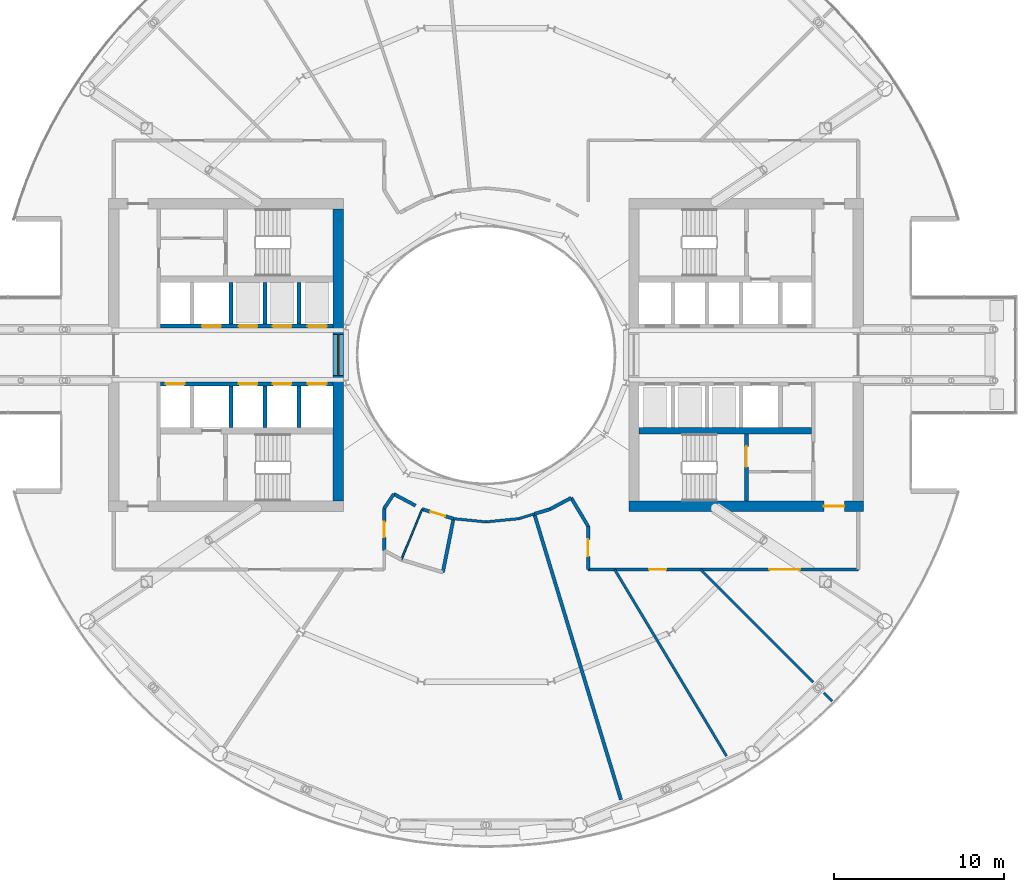
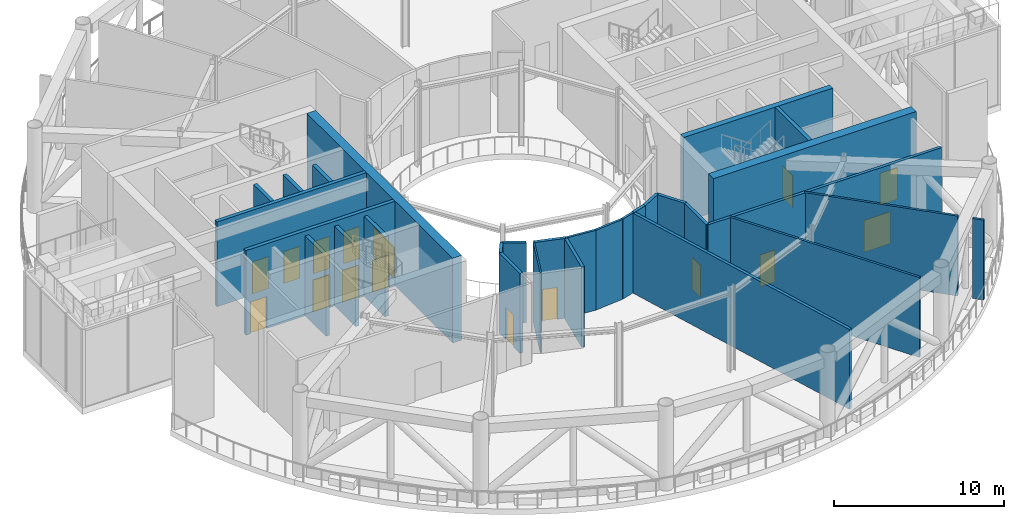
# One storey, part 13 of 25: 30 walls, 15 doors, 1 window, 16 openings.
"""IFC4 building model written with IfcOpenShell, lengths in metres."""

from ifc_helpers import new_model, si_unit, direction, frame, frame_2d, origin, place, context, subcontext, project, spatial, rectangle, extrude, material, layer, layer_set, type_object, element, fill, save


model = new_model("IFC4")

# Units and contexts
model_context = context("Model", 3, precision=1e-05, world=origin(), true_north=direction((0.0, 1.0)))
body_context = subcontext(model_context, "Body", "Model", "MODEL_VIEW")
ifc_project = project(units=[si_unit("LENGTHUNIT", "METRE"), si_unit("AREAUNIT", "SQUARE_METRE"), si_unit("VOLUMEUNIT", "CUBIC_METRE"), si_unit("PLANEANGLEUNIT", "RADIAN"), si_unit("MASSUNIT", "GRAM", prefix="KILO")], contexts=[model_context])

# Site, building, storey
site_placement = place(None, origin())
site = spatial("IfcSite", under=ifc_project, at=site_placement, CompositionType="ELEMENT")
building_placement = place(site_placement, origin())
building = spatial("IfcBuilding", under=site, at=building_placement, Name="Maasbend Ring Residences", CompositionType="ELEMENT")
storey_placement = place(building_placement, frame((0.0, 0.0, 139.10009765625)))
storey = spatial("IfcBuildingStorey", under=building, at=storey_placement, Name="L40", CompositionType="ELEMENT", Elevation=139.10009765625)

# Wall, opening, door
ifc_material_1 = material(Name="Concrete C60/75", Category="concrete")
ifc_layer_1 = layer(ifc_material_1, 0.25)
ifc_layer_set_1 = layer_set([ifc_layer_1], Name="Concrete C60/75")
wall_type_1 = type_object("IfcWallType", Name="CORE WALL 250 C60/75", PredefinedType="SHEAR", material=ifc_layer_set_1)
wall_1_placement = place(storey_placement, frame((15.324951171875, -8.60009765625, 0.0), z_axis=(0.0, 0.0, 1.0), x_axis=(0.0, 1.0, 0.0)))
wall_1 = element("IfcWall", 1, at=wall_1_placement, inside=storey, type_object=wall_type_1, Name="L40 core E wall STES", PredefinedType="SHEAR", context=body_context, shape_type="SweptSolid", body=[
    extrude(rectangle(XDim=3.9501953125, YDim=0.25, at=frame_2d((1.97509765625, 0.0))), origin(), (0.0, 0.0, 1.0), 6.099853515625),
])
opening_1_placement = place(wall_1_placement, frame((2.02490234375, 0.0, 0.0)))
opening_1 = element("IfcOpeningElement", 2, at=opening_1_placement, cuts=wall_1, Name="Opening D-E4013", PredefinedType="OPENING", context=body_context, shape_type="SweptSolid", body=[
    extrude(rectangle(XDim=1.199951171875, YDim=2.300048828125, at=frame_2d((0.60009765625, 1.14990234375))), frame((0.0, 0.135009765625, 0.0), z_axis=(0.0, -1.0, 0.0), x_axis=(1.0, 0.0, 0.0)), (0.0, 0.0, 1.0), 0.27001953125),
])
ifc_material_2 = material(Name="Steel, powder coated", Category="steel")
door_type_1 = type_object("IfcDoorType", Name="STAIR DOOR 1200 X 2300 FD60", OperationType="NOTDEFINED", PredefinedType="DOOR", material=ifc_material_2)
door_1_placement = place(opening_1_placement, origin())
door_1 = element("IfcDoor", 3, at=door_1_placement, inside=storey, type_object=door_type_1, Name="Stair door ST-E L40", OperationType="SINGLE_SWING_LEFT", OverallHeight=2.300048828125, OverallWidth=1.199951171875, PredefinedType="DOOR", context=body_context, shape_type="SweptSolid", body=[
    extrude(rectangle(XDim=1.199951171875, YDim=2.300048828125, at=frame_2d((0.60009765625, 1.14990234375))), frame((0.0, 0.02490234375, 0.0), z_axis=(0.0, -1.0, 0.0), x_axis=(1.0, 0.0, 0.0)), (0.0, 0.0, 1.0), 0.050048828125),
])
fill(opening_1, door_1)

# Wall, openings, doors
wall_2_placement = place(storey_placement, frame((-9.0, -1.699951171875, 0.0), z_axis=(0.0, 0.0, 1.0), x_axis=(-1.0, 0.0, 0.0)))
wall_2 = element("IfcWall", 4, at=wall_2_placement, inside=storey, type_object=wall_type_1, Name="L40 core W wall SPN", PredefinedType="SHEAR", context=body_context, shape_type="SweptSolid", body=[
    extrude(rectangle(XDim=10.14990234375, YDim=0.25, at=frame_2d((5.074951171875, 0.0))), origin(), (0.0, 0.0, 1.0), 6.099853515625),
])
opening_2_placement = place(wall_2_placement, frame((0.387451171875, 0.0, 0.0)))
opening_2 = element("IfcOpeningElement", 5, at=opening_2_placement, cuts=wall_2, Name="Opening LD-W4001", PredefinedType="OPENING", context=body_context, shape_type="SweptSolid", body=[
    extrude(rectangle(XDim=1.10009765625, YDim=2.300048828125, at=frame_2d((0.550048828125, 1.14990234375))), frame((0.0, 0.135009765625, 0.0), z_axis=(0.0, -1.0, 0.0), x_axis=(1.0, 0.0, 0.0)), (0.0, 0.0, 1.0), 0.27001953125),
])
opening_3_placement = place(wall_2_placement, frame((2.449951171875, 0.0, 0.0)))
opening_3 = element("IfcOpeningElement", 6, at=opening_3_placement, cuts=wall_2, Name="Opening LD-W4002", PredefinedType="OPENING", context=body_context, shape_type="SweptSolid", body=[
    extrude(rectangle(XDim=1.10009765625, YDim=2.300048828125, at=frame_2d((0.550048828125, 1.14990234375))), frame((0.0, 0.135009765625, 0.0), z_axis=(0.0, -1.0, 0.0), x_axis=(1.0, 0.0, 0.0)), (0.0, 0.0, 1.0), 0.27001953125),
])
opening_4_placement = place(wall_2_placement, frame((4.449951171875, 0.0, 0.0)))
opening_4 = element("IfcOpeningElement", 7, at=opening_4_placement, cuts=wall_2, Name="Opening LD-W4003", PredefinedType="OPENING", context=body_context, shape_type="SweptSolid", body=[
    extrude(rectangle(XDim=1.10009765625, YDim=2.300048828125, at=frame_2d((0.550048828125, 1.14990234375))), frame((0.0, 0.135009765625, 0.0), z_axis=(0.0, -1.0, 0.0), x_axis=(1.0, 0.0, 0.0)), (0.0, 0.0, 1.0), 0.27001953125),
])
opening_5_placement = place(wall_2_placement, frame((8.737548828125, 0.0, 0.0)))
opening_5 = element("IfcOpeningElement", 8, at=opening_5_placement, cuts=wall_2, Name="Opening LD-W4005", PredefinedType="OPENING", context=body_context, shape_type="SweptSolid", body=[
    extrude(rectangle(XDim=1.10009765625, YDim=2.300048828125, at=frame_2d((0.550048828125, 1.14990234375))), frame((0.0, 0.135009765625, 0.0), z_axis=(0.0, -1.0, 0.0), x_axis=(1.0, 0.0, 0.0)), (0.0, 0.0, 1.0), 0.27001953125),
])
ifc_material_3 = material(Name="Stainless steel 316", Category="steel")
door_type_2 = type_object("IfcDoorType", Name="LANDING DOOR 1100 X 2300 FD60", OperationType="DOUBLE_DOOR_SLIDING", PredefinedType="DOOR", material=ifc_material_3)
door_2_placement = place(opening_2_placement, origin())
door_2 = element("IfcDoor", 9, at=door_2_placement, inside=storey, type_object=door_type_2, Name="Landing door LR-W1 L40", OperationType="DOUBLE_DOOR_SLIDING", OverallHeight=2.300048828125, OverallWidth=1.10009765625, PredefinedType="DOOR", context=body_context, shape_type="SweptSolid", body=[
    extrude(rectangle(XDim=1.10009765625, YDim=2.300048828125, at=frame_2d((0.550048828125, 1.14990234375))), frame((0.0, 0.02490234375, 0.0), z_axis=(0.0, -1.0, 0.0), x_axis=(1.0, 0.0, 0.0)), (0.0, 0.0, 1.0), 0.050048828125),
])
fill(opening_2, door_2)
door_3_placement = place(opening_3_placement, origin())
door_3 = element("IfcDoor", 10, at=door_3_placement, inside=storey, type_object=door_type_2, Name="Landing door LR-W2 L40", OperationType="DOUBLE_DOOR_SLIDING", OverallHeight=2.300048828125, OverallWidth=1.10009765625, PredefinedType="DOOR", context=body_context, shape_type="SweptSolid", body=[
    extrude(rectangle(XDim=1.10009765625, YDim=2.300048828125, at=frame_2d((0.550048828125, 1.14990234375))), frame((0.0, 0.02490234375, 0.0), z_axis=(0.0, -1.0, 0.0), x_axis=(1.0, 0.0, 0.0)), (0.0, 0.0, 1.0), 0.050048828125),
])
fill(opening_3, door_3)
door_4_placement = place(opening_4_placement, origin())
door_4 = element("IfcDoor", 11, at=door_4_placement, inside=storey, type_object=door_type_2, Name="Landing door LR-W3 L40", OperationType="DOUBLE_DOOR_SLIDING", OverallHeight=2.300048828125, OverallWidth=1.10009765625, PredefinedType="DOOR", context=body_context, shape_type="SweptSolid", body=[
    extrude(rectangle(XDim=1.10009765625, YDim=2.300048828125, at=frame_2d((0.550048828125, 1.14990234375))), frame((0.0, 0.02490234375, 0.0), z_axis=(0.0, -1.0, 0.0), x_axis=(1.0, 0.0, 0.0)), (0.0, 0.0, 1.0), 0.050048828125),
])
fill(opening_4, door_4)
door_5_placement = place(opening_5_placement, origin())
door_5 = element("IfcDoor", 12, at=door_5_placement, inside=storey, type_object=door_type_2, Name="Landing door SH-W L40", OperationType="DOUBLE_DOOR_SLIDING", OverallHeight=2.300048828125, OverallWidth=1.10009765625, PredefinedType="DOOR", context=body_context, shape_type="SweptSolid", body=[
    extrude(rectangle(XDim=1.10009765625, YDim=2.300048828125, at=frame_2d((0.550048828125, 1.14990234375))), frame((0.0, 0.02490234375, 0.0), z_axis=(0.0, -1.0, 0.0), x_axis=(1.0, 0.0, 0.0)), (0.0, 0.0, 1.0), 0.050048828125),
])
fill(opening_5, door_5)

wall_3_placement = place(storey_placement, frame((-9.0, 1.699951171875, 0.0), z_axis=(0.0, 0.0, 1.0), x_axis=(-1.0, 0.0, 0.0)))
wall_3 = element("IfcWall", 13, at=wall_3_placement, inside=storey, type_object=wall_type_1, Name="L40 core W wall SPS", PredefinedType="SHEAR", context=body_context, shape_type="SweptSolid", body=[
    extrude(rectangle(XDim=10.14990234375, YDim=0.25, at=frame_2d((5.074951171875, 0.0))), origin(), (0.0, 0.0, 1.0), 6.099853515625),
])
opening_6_placement = place(wall_3_placement, frame((0.387451171875, 0.0, 0.0)))
opening_6 = element("IfcOpeningElement", 14, at=opening_6_placement, cuts=wall_3, Name="Opening LD-W4006", PredefinedType="OPENING", context=body_context, shape_type="SweptSolid", body=[
    extrude(rectangle(XDim=1.10009765625, YDim=2.300048828125, at=frame_2d((0.550048828125, 1.14990234375))), frame((0.0, 0.135009765625, 0.0), z_axis=(0.0, -1.0, 0.0), x_axis=(1.0, 0.0, 0.0)), (0.0, 0.0, 1.0), 0.27001953125),
])
opening_7_placement = place(wall_3_placement, frame((2.449951171875, 0.0, 0.0)))
opening_7 = element("IfcOpeningElement", 15, at=opening_7_placement, cuts=wall_3, Name="Opening LD-W4007", PredefinedType="OPENING", context=body_context, shape_type="SweptSolid", body=[
    extrude(rectangle(XDim=1.10009765625, YDim=2.300048828125, at=frame_2d((0.550048828125, 1.14990234375))), frame((0.0, 0.135009765625, 0.0), z_axis=(0.0, -1.0, 0.0), x_axis=(1.0, 0.0, 0.0)), (0.0, 0.0, 1.0), 0.27001953125),
])
opening_8_placement = place(wall_3_placement, frame((4.449951171875, 0.0, 0.0)))
opening_8 = element("IfcOpeningElement", 16, at=opening_8_placement, cuts=wall_3, Name="Opening LD-W4008", PredefinedType="OPENING", context=body_context, shape_type="SweptSolid", body=[
    extrude(rectangle(XDim=1.10009765625, YDim=2.300048828125, at=frame_2d((0.550048828125, 1.14990234375))), frame((0.0, 0.135009765625, 0.0), z_axis=(0.0, -1.0, 0.0), x_axis=(1.0, 0.0, 0.0)), (0.0, 0.0, 1.0), 0.27001953125),
])
opening_9_placement = place(wall_3_placement, frame((6.60009765625, 0.0, 0.0)))
opening_9 = element("IfcOpeningElement", 17, at=opening_9_placement, cuts=wall_3, Name="Opening LD-W4009", PredefinedType="OPENING", context=body_context, shape_type="SweptSolid", body=[
    extrude(rectangle(XDim=1.10009765625, YDim=2.300048828125, at=frame_2d((0.550048828125, 1.14990234375))), frame((0.0, 0.135009765625, 0.0), z_axis=(0.0, -1.0, 0.0), x_axis=(1.0, 0.0, 0.0)), (0.0, 0.0, 1.0), 0.27001953125),
])
door_6_placement = place(opening_6_placement, origin())
door_6 = element("IfcDoor", 18, at=door_6_placement, inside=storey, type_object=door_type_2, Name="Landing door HR-W1 L40", OperationType="DOUBLE_DOOR_SLIDING", OverallHeight=2.300048828125, OverallWidth=1.10009765625, PredefinedType="DOOR", context=body_context, shape_type="SweptSolid", body=[
    extrude(rectangle(XDim=1.10009765625, YDim=2.300048828125, at=frame_2d((0.550048828125, 1.14990234375))), frame((0.0, 0.02490234375, 0.0), z_axis=(0.0, -1.0, 0.0), x_axis=(1.0, 0.0, 0.0)), (0.0, 0.0, 1.0), 0.050048828125),
])
fill(opening_6, door_6)
door_7_placement = place(opening_7_placement, origin())
door_7 = element("IfcDoor", 19, at=door_7_placement, inside=storey, type_object=door_type_2, Name="Landing door HR-W2 L40", OperationType="DOUBLE_DOOR_SLIDING", OverallHeight=2.300048828125, OverallWidth=1.10009765625, PredefinedType="DOOR", context=body_context, shape_type="SweptSolid", body=[
    extrude(rectangle(XDim=1.10009765625, YDim=2.300048828125, at=frame_2d((0.550048828125, 1.14990234375))), frame((0.0, 0.02490234375, 0.0), z_axis=(0.0, -1.0, 0.0), x_axis=(1.0, 0.0, 0.0)), (0.0, 0.0, 1.0), 0.050048828125),
])
fill(opening_7, door_7)
door_8_placement = place(opening_8_placement, origin())
door_8 = element("IfcDoor", 20, at=door_8_placement, inside=storey, type_object=door_type_2, Name="Landing door HR-W3 L40", OperationType="DOUBLE_DOOR_SLIDING", OverallHeight=2.300048828125, OverallWidth=1.10009765625, PredefinedType="DOOR", context=body_context, shape_type="SweptSolid", body=[
    extrude(rectangle(XDim=1.10009765625, YDim=2.300048828125, at=frame_2d((0.550048828125, 1.14990234375))), frame((0.0, 0.02490234375, 0.0), z_axis=(0.0, -1.0, 0.0), x_axis=(1.0, 0.0, 0.0)), (0.0, 0.0, 1.0), 0.050048828125),
])
fill(opening_8, door_8)
door_9_placement = place(opening_9_placement, origin())
door_9 = element("IfcDoor", 21, at=door_9_placement, inside=storey, type_object=door_type_2, Name="Landing door SV-W L40", OperationType="DOUBLE_DOOR_SLIDING", OverallHeight=2.300048828125, OverallWidth=1.10009765625, PredefinedType="DOOR", context=body_context, shape_type="SweptSolid", body=[
    extrude(rectangle(XDim=1.10009765625, YDim=2.300048828125, at=frame_2d((0.550048828125, 1.14990234375))), frame((0.0, 0.02490234375, 0.0), z_axis=(0.0, -1.0, 0.0), x_axis=(1.0, 0.0, 0.0)), (0.0, 0.0, 1.0), 0.050048828125),
])
fill(opening_9, door_9)

# Wall
ifc_material_4 = material(Name="Concrete C60/75", Category="concrete")
ifc_layer_2 = layer(ifc_material_4, 0.375)
ifc_layer_set_2 = layer_set([ifc_layer_2], Name="Concrete C60/75")
wall_type_2 = type_object("IfcWallType", Name="CORE WALL 375 C60/75", PredefinedType="SHEAR", material=ifc_layer_set_2)
wall_4_placement = place(storey_placement, frame((9.0, -4.46240234375, 0.0), z_axis=(0.0, 0.0, 1.0), x_axis=(1.0, 0.0, 0.0)))
element("IfcWall", 22, at=wall_4_placement, inside=storey, type_object=wall_type_2, Name="L40 core E wall BS", PredefinedType="SHEAR", context=body_context, shape_type="SweptSolid", body=[
    extrude(rectangle(XDim=10.14990234375, YDim=0.375, at=frame_2d((5.074951171875, 0.0))), origin(), (0.0, 0.0, 1.0), 6.099853515625),
])

# Wall, opening, door
ifc_material_5 = material(Name="Concrete C60/75", Category="concrete")
ifc_layer_3 = layer(ifc_material_5, 0.60009765625)
ifc_layer_set_3 = layer_set([ifc_layer_3], Name="Concrete C60/75")
wall_type_3 = type_object("IfcWallType", Name="CORE WALL 600 C60/75", PredefinedType="SHEAR", material=ifc_layer_set_3)
wall_5_placement = place(storey_placement, frame((8.39990234375, -8.89990234375, 0.0), z_axis=(0.0, 0.0, 1.0), x_axis=(1.0, 0.0, 0.0)))
wall_5 = element("IfcWall", 23, at=wall_5_placement, inside=storey, type_object=wall_type_3, Name="L40 core E wall PS", PredefinedType="SHEAR", context=body_context, shape_type="SweptSolid", body=[
    extrude(rectangle(XDim=13.800048828125, YDim=0.60009765625, at=frame_2d((6.89990234375, 0.0))), origin(), (0.0, 0.0, 1.0), 6.099853515625),
])
opening_10_placement = place(wall_5_placement, frame((11.47509765625, 0.0, 0.0)))
opening_10 = element("IfcOpeningElement", 24, at=opening_10_placement, cuts=wall_5, Name="Opening D-E4017", PredefinedType="OPENING", context=body_context, shape_type="SweptSolid", body=[
    extrude(rectangle(XDim=1.199951171875, YDim=2.300048828125, at=frame_2d((0.60009765625, 1.14990234375))), frame((0.0, 0.31005859375, 0.0), z_axis=(0.0, -1.0, 0.0), x_axis=(1.0, 0.0, 0.0)), (0.0, 0.0, 1.0), 0.6201171875),
])
ifc_material_6 = material(Name="Steel, powder coated", Category="steel")
door_type_3 = type_object("IfcDoorType", Name="CORRIDOR DOOR 1200 X 2300 FD30S", OperationType="NOTDEFINED", PredefinedType="DOOR", material=ifc_material_6)
door_10_placement = place(opening_10_placement, origin())
door_10 = element("IfcDoor", 25, at=door_10_placement, inside=storey, type_object=door_type_3, Name="Corridor door L40", OperationType="SINGLE_SWING_LEFT", OverallHeight=2.300048828125, OverallWidth=1.199951171875, PredefinedType="DOOR", context=body_context, shape_type="SweptSolid", body=[
    extrude(rectangle(XDim=1.199951171875, YDim=2.300048828125, at=frame_2d((0.60009765625, 1.14990234375))), frame((0.0, 0.02490234375, 0.0), z_axis=(0.0, -1.0, 0.0), x_axis=(1.0, 0.0, 0.0)), (0.0, 0.0, 1.0), 0.050048828125),
])
fill(opening_10, door_10)

# Wall, opening, window
wall_6_placement = place(storey_placement, frame((-8.699951171875, 8.60009765625, 0.0), z_axis=(0.0, 0.0, 1.0), x_axis=(0.0, -1.0, 0.0)))
wall_6 = element("IfcWall", 26, at=wall_6_placement, inside=storey, type_object=wall_type_3, Name="L40 core W wall PIN", PredefinedType="SHEAR", context=body_context, shape_type="SweptSolid", body=[
    extrude(rectangle(XDim=17.2001953125, YDim=0.60009765625, at=frame_2d((8.60009765625, 0.0))), origin(), (0.0, 0.0, 1.0), 6.099853515625),
])
opening_11_placement = place(wall_6_placement, frame((7.39990234375, 0.0, 0.10009765625)))
opening_11 = element("IfcOpeningElement", 27, at=opening_11_placement, cuts=wall_6, Name="Opening W-W4001", PredefinedType="OPENING", context=body_context, shape_type="SweptSolid", body=[
    extrude(rectangle(XDim=2.39990234375, YDim=2.199951171875, at=frame_2d((1.199951171875, 1.10009765625))), frame((0.0, 0.31005859375, 0.0), z_axis=(0.0, -1.0, 0.0), x_axis=(1.0, 0.0, 0.0)), (0.0, 0.0, 1.0), 0.6201171875),
])
ifc_material_7 = material(Name="Aluminium frame and clear glass", Category="aluminium")
window_type = type_object("IfcWindowType", Name="FIXED WINDOW 2400 X 2200", PartitioningType="SINGLE_PANEL", PredefinedType="WINDOW", material=ifc_material_7)
window_placement = place(opening_11_placement, origin())
window = element("IfcWindow", 28, at=window_placement, inside=storey, type_object=window_type, Name="Lobby window L40", OverallHeight=2.199951171875, OverallWidth=2.39990234375, PartitioningType="SINGLE_PANEL", PredefinedType="WINDOW", context=body_context, shape_type="SweptSolid", body=[
    extrude(rectangle(XDim=2.39990234375, YDim=2.199951171875, at=frame_2d((1.199951171875, 1.10009765625))), frame((0.0, 0.030029296875, 0.0), z_axis=(0.0, -1.0, 0.0), x_axis=(1.0, 0.0, 0.0)), (0.0, 0.0, 1.0), 0.06005859375),
])
fill(opening_11, window)

# Wall, openings, doors
ifc_material_8 = material(Name="Concrete C30/37", Category="concrete")
ifc_layer_4 = layer(ifc_material_8, 0.199951171875)
ifc_layer_set_4 = layer_set([ifc_layer_4], Name="Concrete C30/37")
wall_type_4 = type_object("IfcWallType", Name="CORRIDOR WALL 200 CONCRETE", PredefinedType="PARTITIONING", material=ifc_layer_set_4)
wall_7_placement = place(storey_placement, frame((6.0, -12.6201171875, 0.0), z_axis=(0.0, 0.0, 1.0), x_axis=(1.0, 0.0, 0.0)))
wall_7 = element("IfcWall", 29, at=wall_7_placement, inside=storey, type_object=wall_type_4, Name="U-L40-w007", PredefinedType="PARTITIONING", context=body_context, shape_type="SweptSolid", body=[
    extrude(rectangle(XDim=15.89990234375, YDim=0.199951171875, at=frame_2d((7.949951171875, 0.0))), origin(), (0.0, 0.0, 1.0), 5.75),
])
opening_12_placement = place(wall_7_placement, frame((3.593017578125, 0.0, 0.0)))
opening_12 = element("IfcOpeningElement", 30, at=opening_12_placement, cuts=wall_7, Name="Opening D-4009", PredefinedType="OPENING", context=body_context, shape_type="SweptSolid", body=[
    extrude(rectangle(XDim=1.0, YDim=2.300048828125, at=frame_2d((0.5, 1.14990234375))), frame((0.0, 0.10986328125, 0.0), z_axis=(0.0, -1.0, 0.0), x_axis=(1.0, 0.0, 0.0)), (0.0, 0.0, 1.0), 0.219970703125),
])
opening_13_placement = place(wall_7_placement, frame((10.669921875, 0.0, 0.0)))
opening_13 = element("IfcOpeningElement", 31, at=opening_13_placement, cuts=wall_7, Name="Opening D-4013", PredefinedType="OPENING", context=body_context, shape_type="SweptSolid", body=[
    extrude(rectangle(XDim=1.800048828125, YDim=2.300048828125, at=frame_2d((0.89990234375, 1.14990234375))), frame((0.0, 0.10986328125, 0.0), z_axis=(0.0, -1.0, 0.0), x_axis=(1.0, 0.0, 0.0)), (0.0, 0.0, 1.0), 0.219970703125),
])
ifc_material_9 = material(Name="Timber, painted", Category="wood")
door_type_4 = type_object("IfcDoorType", Name="DOUBLE DOOR 1800 X 2300", OperationType="NOTDEFINED", PredefinedType="DOOR", material=ifc_material_9)
door_11_placement = place(opening_13_placement, origin())
door_11 = element("IfcDoor", 32, at=door_11_placement, inside=storey, type_object=door_type_4, Name="D-4013", OperationType="DOUBLE_DOOR_SINGLE_SWING", OverallHeight=2.300048828125, OverallWidth=1.800048828125, PredefinedType="DOOR", context=body_context, shape_type="SweptSolid", body=[
    extrude(rectangle(XDim=1.800048828125, YDim=2.300048828125, at=frame_2d((0.89990234375, 1.14990234375))), frame((0.0, 0.02490234375, 0.0), z_axis=(0.0, -1.0, 0.0), x_axis=(1.0, 0.0, 0.0)), (0.0, 0.0, 1.0), 0.050048828125),
])
fill(opening_13, door_11)
ifc_material_10 = material(Name="Timber, painted", Category="wood")
door_type_5 = type_object("IfcDoorType", Name="ROOM DOOR 1000 X 2300", OperationType="NOTDEFINED", PredefinedType="DOOR", material=ifc_material_10)
door_12_placement = place(opening_12_placement, origin())
door_12 = element("IfcDoor", 33, at=door_12_placement, inside=storey, type_object=door_type_5, Name="D-4009", OperationType="SINGLE_SWING_LEFT", OverallHeight=2.300048828125, OverallWidth=1.0, PredefinedType="DOOR", context=body_context, shape_type="SweptSolid", body=[
    extrude(rectangle(XDim=1.0, YDim=2.300048828125, at=frame_2d((0.5, 1.14990234375))), frame((0.0, 0.02490234375, 0.0), z_axis=(0.0, -1.0, 0.0), x_axis=(1.0, 0.0, 0.0)), (0.0, 0.0, 1.0), 0.050048828125),
])
fill(opening_12, door_12)

# Wall
wall_8_placement = place(storey_placement, frame((-5.428955078125, -8.178955078125, 0.0), z_axis=(0.0, 0.0, 1.0), x_axis=(0.881652665802, -0.471898905364, 0.0)))
element("IfcWall", 34, at=wall_8_placement, inside=storey, type_object=wall_type_4, Name="U-L40-w008", PredefinedType="PARTITIONING", context=body_context, shape_type="SweptSolid", body=[
    extrude(rectangle(XDim=1.44970703125, YDim=0.199951171875, at=frame_2d((0.724853515625, 0.0))), origin(), (0.0, 0.0, 1.0), 5.75),
])

# Wall, opening, door
wall_9_placement = place(storey_placement, frame((-3.758056640625, -9.072021484375, 0.0), z_axis=(0.0, 0.0, 1.0), x_axis=(0.956896312675, -0.29042976223, 0.0)))
wall_9 = element("IfcWall", 35, at=wall_9_placement, inside=storey, type_object=wall_type_4, Name="U-L40-w009", PredefinedType="PARTITIONING", context=body_context, shape_type="SweptSolid", body=[
    extrude(rectangle(XDim=1.925048828125, YDim=0.199951171875, at=frame_2d((0.96240234375, 0.0))), origin(), (0.0, 0.0, 1.0), 5.75),
])
opening_14_placement = place(wall_9_placement, frame((0.511962890625, 0.0, 0.0)))
opening_14 = element("IfcOpeningElement", 36, at=opening_14_placement, cuts=wall_9, Name="Opening D-4006", PredefinedType="OPENING", context=body_context, shape_type="SweptSolid", body=[
    extrude(rectangle(XDim=0.89990234375, YDim=2.300048828125, at=frame_2d((0.449951171875, 1.14990234375))), frame((0.0, 0.10986328125, 0.0), z_axis=(0.0, -1.0, 0.0), x_axis=(1.0, 0.0, 0.0)), (0.0, 0.0, 1.0), 0.219970703125),
])
ifc_material_11 = material(Name="Timber, painted", Category="wood")
door_type_6 = type_object("IfcDoorType", Name="INTERNAL DOOR 900 X 2300", OperationType="NOTDEFINED", PredefinedType="DOOR", material=ifc_material_11)
door_13_placement = place(opening_14_placement, origin())
door_13 = element("IfcDoor", 37, at=door_13_placement, inside=storey, type_object=door_type_6, Name="D-4006", OperationType="SINGLE_SWING_RIGHT", OverallHeight=2.300048828125, OverallWidth=0.89990234375, PredefinedType="DOOR", context=body_context, shape_type="SweptSolid", body=[
    extrude(rectangle(XDim=0.89990234375, YDim=2.300048828125, at=frame_2d((0.449951171875, 1.14990234375))), frame((0.0, 0.02490234375, 0.0), z_axis=(0.0, -1.0, 0.0), x_axis=(1.0, 0.0, 0.0)), (0.0, 0.0, 1.0), 0.050048828125),
])
fill(opening_14, door_13)

# Walls
wall_10_placement = place(storey_placement, frame((2.8369140625, -9.35205078125, 0.0), z_axis=(0.0, 0.0, 1.0), x_axis=(0.956911876356, 0.290378478694, 0.0)))
element("IfcWall", 38, at=wall_10_placement, inside=storey, type_object=wall_type_4, Name="U-L40-w013", PredefinedType="PARTITIONING", context=body_context, shape_type="SweptSolid", body=[
    extrude(rectangle(XDim=0.9677734375, YDim=0.199951171875, at=frame_2d((0.48388671875, 0.0))), origin(), (0.0, 0.0, 1.0), 5.75),
])
wall_11_placement = place(storey_placement, frame((3.758056640625, -9.072021484375, 0.0), z_axis=(0.0, 0.0, 1.0), x_axis=(0.88204677125, 0.471161854703, 0.0)))
element("IfcWall", 39, at=wall_11_placement, inside=storey, type_object=wall_type_4, Name="U-L40-w014", PredefinedType="PARTITIONING", context=body_context, shape_type="SweptSolid", body=[
    extrude(rectangle(XDim=1.41357421875, YDim=0.199951171875, at=frame_2d((0.706787109375, 0.0))), origin(), (0.0, 0.0, 1.0), 5.75),
])

# Wall, opening, door
wall_12_placement = place(storey_placement, frame((6.0, -12.6201171875, 0.0), z_axis=(0.0, 0.0, 1.0), x_axis=(0.0, 1.0, 0.0)))
wall_12 = element("IfcWall", 40, at=wall_12_placement, inside=storey, type_object=wall_type_4, Name="U-L40-w015", PredefinedType="PARTITIONING", context=body_context, shape_type="SweptSolid", body=[
    extrude(rectangle(XDim=2.55419921875, YDim=0.199951171875, at=frame_2d((1.277099609375, 0.0))), origin(), (0.0, 0.0, 1.0), 5.75),
])
opening_15_placement = place(wall_12_placement, frame((0.777099609375, 0.0, 0.0)))
opening_15 = element("IfcOpeningElement", 41, at=opening_15_placement, cuts=wall_12, Name="Opening D-4008", PredefinedType="OPENING", context=body_context, shape_type="SweptSolid", body=[
    extrude(rectangle(XDim=1.0, YDim=2.300048828125, at=frame_2d((0.5, 1.14990234375))), frame((0.0, 0.10986328125, 0.0), z_axis=(0.0, -1.0, 0.0), x_axis=(1.0, 0.0, 0.0)), (0.0, 0.0, 1.0), 0.219970703125),
])
door_14_placement = place(opening_15_placement, origin())
door_14 = element("IfcDoor", 42, at=door_14_placement, inside=storey, type_object=door_type_5, Name="D-4008", OperationType="SINGLE_SWING_LEFT", OverallHeight=2.300048828125, OverallWidth=1.0, PredefinedType="DOOR", context=body_context, shape_type="SweptSolid", body=[
    extrude(rectangle(XDim=1.0, YDim=2.300048828125, at=frame_2d((0.5, 1.14990234375))), frame((0.0, 0.02490234375, 0.0), z_axis=(0.0, -1.0, 0.0), x_axis=(1.0, 0.0, 0.0)), (0.0, 0.0, 1.0), 0.050048828125),
])
fill(opening_15, door_14)

# Walls
wall_13_placement = place(storey_placement, frame((-6.0, -9.033935546875, 0.0), z_axis=(0.0, 0.0, 1.0), x_axis=(0.555412364489, 0.831575075007, 0.0)))
element("IfcWall", 43, at=wall_13_placement, inside=storey, type_object=wall_type_4, Name="U-L40-w017", PredefinedType="PARTITIONING", context=body_context, shape_type="SweptSolid", body=[
    extrude(rectangle(XDim=1.028076171875, YDim=0.199951171875, at=frame_2d((0.51416015625, 0.0))), origin(), (0.0, 0.0, 1.0), 5.75),
])
wall_14_placement = place(storey_placement, frame((5.0048828125, -8.406005859375, 0.0), z_axis=(0.0, 0.0, 1.0), x_axis=(0.514180349955, -0.857682090124, 0.0)))
element("IfcWall", 44, at=wall_14_placement, inside=storey, type_object=wall_type_4, Name="U-L40-w018", PredefinedType="PARTITIONING", context=body_context, shape_type="SweptSolid", body=[
    extrude(rectangle(XDim=1.935302734375, YDim=0.199951171875, at=frame_2d((0.9677734375, 0.0))), origin(), (0.0, 0.0, 1.0), 5.75),
])
wall_15_placement = place(storey_placement, frame((-2.54296875, -12.784912109375, 0.0), z_axis=(0.0, 0.0, 1.0), x_axis=(0.194977117829, 0.980807791325, 0.0)))
element("IfcWall", 45, at=wall_15_placement, inside=storey, type_object=wall_type_4, Name="U-L40-w028", PredefinedType="PARTITIONING", context=body_context, shape_type="SweptSolid", body=[
    extrude(rectangle(XDim=3.215576171875, YDim=0.199951171875, at=frame_2d((1.60791015625, 0.0))), origin(), (0.0, 0.0, 1.0), 5.75),
])
wall_16_placement = place(storey_placement, frame((2.8369140625, -9.35205078125, 0.0), z_axis=(0.0, 0.0, 1.0), x_axis=(0.290276626732, -0.956942777794, 0.0)))
element("IfcWall", 46, at=wall_16_placement, inside=storey, type_object=wall_type_4, Name="U-L40-w029", PredefinedType="PARTITIONING", context=body_context, shape_type="SweptSolid", body=[
    extrude(rectangle(XDim=17.56640625, YDim=0.199951171875, at=frame_2d((8.783203125, 0.0))), origin(), (0.0, 0.0, 1.0), 5.75),
])

# Wall, opening, door
wall_17_placement = place(storey_placement, frame((-6.0, -11.5029296875, 0.0), z_axis=(0.0, 0.0, 1.0), x_axis=(0.0, 1.0, 0.0)))
wall_17 = element("IfcWall", 47, at=wall_17_placement, inside=storey, type_object=wall_type_4, Name="U-L40-w037", PredefinedType="PARTITIONING", context=body_context, shape_type="SweptSolid", body=[
    extrude(rectangle(XDim=2.468994140625, YDim=0.199951171875, at=frame_2d((1.234375, 0.0))), origin(), (0.0, 0.0, 1.0), 5.75),
])
opening_16_placement = place(wall_17_placement, frame((0.784912109375, 0.0, 0.0)))
opening_16 = element("IfcOpeningElement", 48, at=opening_16_placement, cuts=wall_17, Name="Opening D-4005", PredefinedType="OPENING", context=body_context, shape_type="SweptSolid", body=[
    extrude(rectangle(XDim=0.89990234375, YDim=2.300048828125, at=frame_2d((0.449951171875, 1.14990234375))), frame((0.0, 0.10986328125, 0.0), z_axis=(0.0, -1.0, 0.0), x_axis=(1.0, 0.0, 0.0)), (0.0, 0.0, 1.0), 0.219970703125),
])
door_15_placement = place(opening_16_placement, origin())
door_15 = element("IfcDoor", 49, at=door_15_placement, inside=storey, type_object=door_type_6, Name="D-4005", OperationType="SINGLE_SWING_RIGHT", OverallHeight=2.300048828125, OverallWidth=0.89990234375, PredefinedType="DOOR", context=body_context, shape_type="SweptSolid", body=[
    extrude(rectangle(XDim=0.89990234375, YDim=2.300048828125, at=frame_2d((0.449951171875, 1.14990234375))), frame((0.0, 0.02490234375, 0.0), z_axis=(0.0, -1.0, 0.0), x_axis=(1.0, 0.0, 0.0)), (0.0, 0.0, 1.0), 0.050048828125),
])
fill(opening_16, door_15)

# Walls
ifc_material_12 = material(Name="Gypsum board on steel studs", Category="steel")
ifc_layer_5 = layer(ifc_material_12, 0.10009765625)
ifc_layer_set_5 = layer_set([ifc_layer_5], Name="PARTITION 100 GYPSUM")
wall_type_5 = type_object("IfcWallType", Name="PARTITION 100 GYPSUM", PredefinedType="PARTITIONING", material=ifc_layer_set_5)
wall_18_placement = place(storey_placement, frame((-4.988037109375, -12.04296875, 0.0), z_axis=(0.0, 0.0, 1.0), x_axis=(0.382517205945, 0.923948368231, 0.0)))
element("IfcWall", 50, at=wall_18_placement, inside=storey, type_object=wall_type_5, Name="U-L40-w025", PredefinedType="PARTITIONING", context=body_context, shape_type="SweptSolid", body=[
    extrude(rectangle(XDim=3.215576171875, YDim=0.10009765625, at=frame_2d((1.60791015625, 0.0))), origin(), (0.0, 0.0, 1.0), 5.75),
])
ifc_material_13 = material(Name="Gypsum board on steel studs", Category="steel")
ifc_layer_6 = layer(ifc_material_13, 0.14990234375)
ifc_layer_set_6 = layer_set([ifc_layer_6], Name="PARTITION 150 GYPSUM")
wall_type_6 = type_object("IfcWallType", Name="PARTITION 150 GYPSUM", PredefinedType="PARTITIONING", material=ifc_layer_set_6)
for number, where, z_axis, x_axis, name in (
    (51, (-1.916015625, -9.631103515625, 0.0), (0.0, 0.0, 1.0), (0.995171860647, -0.098147683504, 0.0), "U-L40-w010"),
    (52, (0.0, -9.820068359375, 0.0), (0.0, 0.0, 1.0), (0.995171860647, 0.098147683504, 0.0), "U-L40-w011"),
):
    element("IfcWall", number, at=place(storey_placement, frame(where, z_axis=z_axis, x_axis=x_axis)), inside=storey, type_object=wall_type_6, Name=name, PredefinedType="PARTITIONING", context=body_context, shape_type="SweptSolid", body=[
        extrude(rectangle(XDim=1.92529296875, YDim=0.14990234375, at=frame_2d((0.962646484375, 0.0))), origin(), (0.0, 0.0, 1.0), 5.75),
    ])
wall_19_placement = place(storey_placement, frame((1.9208984375, -9.631103515625, 0.0), z_axis=(0.0, 0.0, 1.0), x_axis=(0.956545376911, 0.29158350761, 0.0)))
element("IfcWall", 53, at=wall_19_placement, inside=storey, type_object=wall_type_6, Name="U-L40-w012", PredefinedType="PARTITIONING", context=body_context, shape_type="SweptSolid", body=[
    extrude(rectangle(XDim=0.967041015625, YDim=0.14990234375, at=frame_2d((0.4833984375, 0.0))), origin(), (0.0, 0.0, 1.0), 5.75),
])
wall_20_placement = place(storey_placement, frame((7.56591796875, -12.6201171875, 0.0), z_axis=(0.0, 0.0, 1.0), x_axis=(0.514240323404, -0.857646133195, 0.0)))
element("IfcWall", 54, at=wall_20_placement, inside=storey, type_object=wall_type_6, Name="U-L40-w030", PredefinedType="PARTITIONING", context=body_context, shape_type="SweptSolid", body=[
    extrude(rectangle(XDim=12.7919921875, YDim=0.14990234375, at=frame_2d((6.39599609375, 0.0))), origin(), (0.0, 0.0, 1.0), 5.75),
])
wall_21_placement = place(storey_placement, frame((12.6201171875, -12.6201171875, 0.0), z_axis=(0.0, 0.0, 1.0), x_axis=(0.707106781187, -0.707106781187, 0.0)))
element("IfcWall", 55, at=wall_21_placement, inside=storey, type_object=wall_type_6, Name="U-L40-w031", PredefinedType="PARTITIONING", context=body_context, shape_type="SweptSolid", body=[
    extrude(rectangle(XDim=9.360595703125, YDim=0.14990234375, at=frame_2d((4.68017578125, 0.0))), origin(), (0.0, 0.0, 1.0), 5.75),
])
wall_22_placement = place(storey_placement, frame((19.875, -19.875, 0.0), z_axis=(0.0, 0.0, 1.0), x_axis=(0.707106781187, -0.707106781187, 0.0)))
element("IfcWall", 56, at=wall_22_placement, inside=storey, type_object=wall_type_6, Name="U-L40-w033", PredefinedType="PARTITIONING", context=body_context, shape_type="SweptSolid", body=[
    extrude(rectangle(XDim=0.69287109375, YDim=0.14990234375, at=frame_2d((0.346435546875, 0.0))), origin(), (0.0, 0.0, 1.0), 5.75),
])
ifc_material_14 = material(Name="Concrete C30/37", Category="concrete")
ifc_layer_7 = layer(ifc_material_14, 0.25)
ifc_layer_set_7 = layer_set([ifc_layer_7], Name="Concrete C30/37")
wall_type_7 = type_object("IfcWallType", Name="SHAFT WALL 250 EI 120", PredefinedType="SOLIDWALL", material=ifc_layer_set_7)
for number, where, z_axis, x_axis, name in (
    (57, (-15.0, -1.824951171875, 0.0), (0.0, 0.0, 1.0), (0.0, -1.0, 0.0), "L40 core W wall D150N"),
    (58, (-15.0, 1.824951171875, 0.0), (0.0, 0.0, 1.0), (0.0, 1.0, 0.0), "L40 core W wall D150S"),
    (59, (-11.0, -1.824951171875, 0.0), (0.0, 0.0, 1.0), (0.0, -1.0, 0.0), "L40 core W wall D110N"),
    (60, (-13.0, -1.824951171875, 0.0), (0.0, 0.0, 1.0), (0.0, -1.0, 0.0), "L40 core W wall D130N"),
    (61, (-11.0, 1.824951171875, 0.0), (0.0, 0.0, 1.0), (0.0, 1.0, 0.0), "L40 core W wall D110S"),
    (62, (-13.0, 1.824951171875, 0.0), (0.0, 0.0, 1.0), (0.0, 1.0, 0.0), "L40 core W wall D130S"),
):
    element("IfcWall", number, at=place(storey_placement, frame(where, z_axis=z_axis, x_axis=x_axis)), inside=storey, type_object=wall_type_7, Name=name, PredefinedType="SOLIDWALL", context=body_context, shape_type="SweptSolid", body=[
        extrude(rectangle(XDim=2.449951171875, YDim=0.25, at=frame_2d((1.22509765625, 0.0))), origin(), (0.0, 0.0, 1.0), 5.75),
    ])

save(model, "model.ifc")
